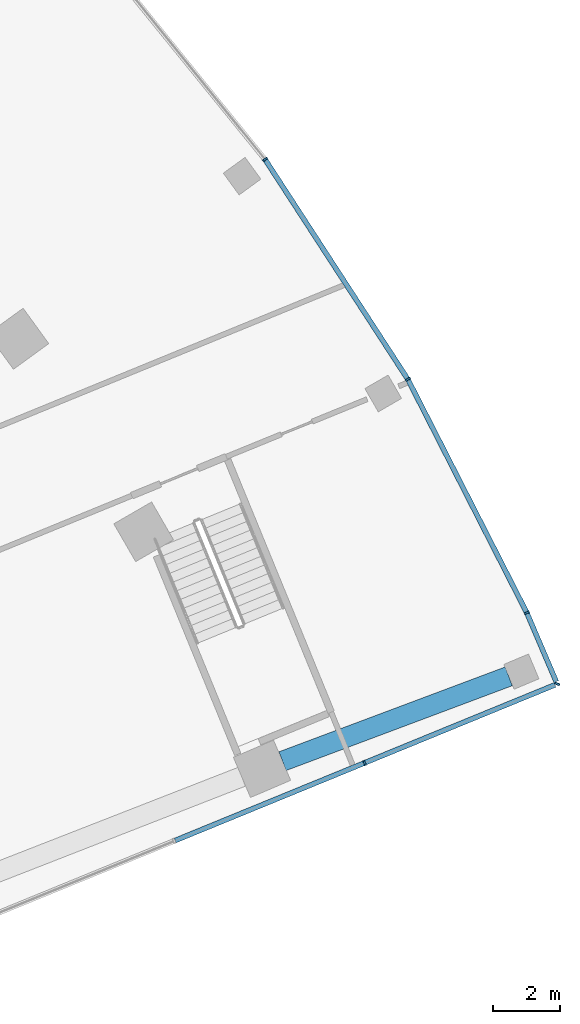
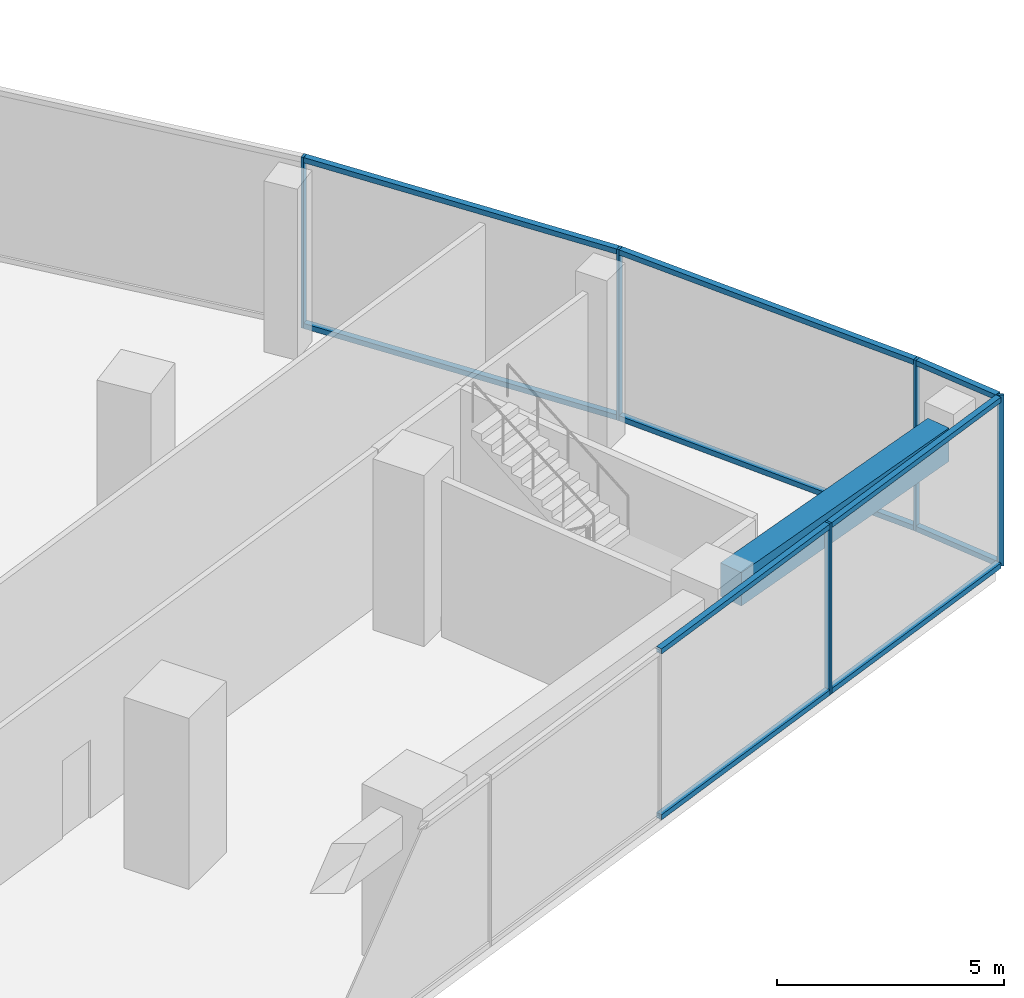
# One storey, part 15 of 39: 15 members, 1 beam, 2 elements without a shape of their own.
"""IFC4 building model written with IfcOpenShell, lengths in metres."""

from ifc_helpers import new_model, si_unit, direction, frame, origin, origin_2d, place, context, subcontext, project, spatial, rectangle, extrude, material, layer, layer_set, material_profile, profile_set, type_object, element, aggregate, save


model = new_model("IFC4")

# Units and contexts
model_context = context("Model", 3, precision=1e-05, world=origin(), true_north=direction((0.0, 1.0)))
body_context = subcontext(model_context, "Body", "Model", "MODEL_VIEW")
ifc_project = project(units=[si_unit("LENGTHUNIT", "METRE"), si_unit("AREAUNIT", "SQUARE_METRE"), si_unit("VOLUMEUNIT", "CUBIC_METRE"), si_unit("PLANEANGLEUNIT", "RADIAN"), si_unit("MASSUNIT", "GRAM", prefix="KILO")], contexts=[model_context])

# Site, building, storey
site_placement = place(None, origin())
site = spatial("IfcSite", under=ifc_project, at=site_placement, CompositionType="ELEMENT")
building_placement = place(site_placement, origin())
building = spatial("IfcBuilding", under=site, at=building_placement, Name="Stone Belt Terrace Tower", CompositionType="ELEMENT")
storey_placement = place(building_placement, frame((0.0, 0.0, 16.199951171875)))
storey = spatial("IfcBuildingStorey", under=building, at=storey_placement, Name="L03", CompositionType="ELEMENT", Elevation=16.199951171875)

# Curtain wall, member
ifc_material_1 = material(Name="Aluminium 6063-T6 anodised frame", Category="aluminium")
ifc_layer = layer(ifc_material_1, 0.14990234375)
ifc_layer_set = layer_set([ifc_layer], Name="CW-D podium shopfront")
curtain_wall_type = type_object("IfcCurtainWallType", Name="CW-D podium shopfront", PredefinedType="NOTDEFINED", material=ifc_layer_set)
curtain_wall_1_placement = place(storey_placement, origin())
curtain_wall_1 = element("IfcCurtainWall", 1, at=curtain_wall_1_placement, inside=storey, type_object=curtain_wall_type, Name="CW-D end face L03", PredefinedType="NOTDEFINED")
ifc_material_profile_1 = material_profile(ifc_material_1, rectangle(XDim=0.14990234375, YDim=0.06005859375, at=origin_2d()), Name="Aluminium 6063-T6 60x150")
ifc_profile_set_1 = profile_set([ifc_material_profile_1], Name="Aluminium 6063-T6 anodised frame")
member_type_1 = type_object("IfcMemberType", Name="CW-D mullion 60 x 150", PredefinedType="MULLION", material=ifc_profile_set_1)
member_1_placement = place(storey_placement, frame((63.295654296875, 25.861328125, 0.0), z_axis=(0.0, 0.0, 1.0), x_axis=(-0.379243093825, 0.925297074342, 0.0)))
member_1 = element("IfcMember", 2, at=member_1_placement, type_object=member_type_1, Name="CW-D mullion 8", PredefinedType="MULLION", context=body_context, shape_type="SweptSolid", body=[
    extrude(rectangle(XDim=0.14990234375, YDim=0.06005859375, at=origin_2d()), origin(), (0.0, 0.0, 1.0), 4.60009765625),
])

# Curtain wall, members
curtain_wall_2_placement = place(storey_placement, origin())
curtain_wall_2 = element("IfcCurtainWall", 3, at=curtain_wall_2_placement, inside=storey, type_object=curtain_wall_type, Name="CW-D convex face L03", PredefinedType="NOTDEFINED")
member_2_placement = place(storey_placement, frame((69.033447265625, 28.213134765625, 0.0), z_axis=(0.0, 0.0, 1.0), x_axis=(-0.925309719849, 0.379212239192, 0.0)))
member_2 = element("IfcMember", 4, at=member_2_placement, type_object=member_type_1, Name="CW-D mullion 1", PredefinedType="MULLION", context=body_context, shape_type="SweptSolid", body=[
    extrude(rectangle(XDim=0.14990234375, YDim=0.06005859375, at=origin_2d()), origin(), (0.0, 0.0, 1.0), 4.60009765625),
])
member_3_placement = place(storey_placement, frame((68.127197265625, 30.333740234375, 0.0), z_axis=(0.0, 0.0, 1.0), x_axis=(-0.905778201442, -0.423752108895, 0.0)))
member_3 = element("IfcMember", 5, at=member_3_placement, type_object=member_type_1, Name="CW-D mullion 2", PredefinedType="MULLION", context=body_context, shape_type="SweptSolid", body=[
    extrude(rectangle(XDim=0.14990234375, YDim=0.06005859375, at=origin_2d()), origin(), (0.0, 0.0, 1.0), 4.60009765625),
])
member_4_placement = place(storey_placement, frame((64.583984375, 37.28759765625, 0.0), z_axis=(0.0, 0.0, 1.0), x_axis=(-0.866025403784, -0.5, 0.0)))
member_4 = element("IfcMember", 6, at=member_4_placement, type_object=member_type_1, Name="CW-D mullion 3", PredefinedType="MULLION", context=body_context, shape_type="SweptSolid", body=[
    extrude(rectangle(XDim=0.14990234375, YDim=0.06005859375, at=origin_2d()), origin(), (0.0, 0.0, 1.0), 4.60009765625),
])
member_5_placement = place(storey_placement, frame((60.33251953125, 43.834228515625, 0.0), z_axis=(0.0, 0.0, 1.0), x_axis=(-0.809016994375, -0.587785252292, 0.0)))
member_5 = element("IfcMember", 7, at=member_5_placement, type_object=member_type_1, Name="CW-D mullion 4", PredefinedType="MULLION", context=body_context, shape_type="SweptSolid", body=[
    extrude(rectangle(XDim=0.14990234375, YDim=0.06005859375, at=origin_2d()), origin(), (0.0, 0.0, 1.0), 4.60009765625),
])

# Member
ifc_material_profile_2 = material_profile(ifc_material_1, rectangle(XDim=0.14990234375, YDim=0.139892578125, at=origin_2d()), Name="Aluminium 6063-T6 150x140")
ifc_profile_set_2 = profile_set([ifc_material_profile_2], Name="Aluminium 6063-T6 anodised frame")
member_type_2 = type_object("IfcMemberType", Name="CW-D transom 140 x 150", PredefinedType="USERDEFINED", material=ifc_profile_set_2)
member_6_placement = place(storey_placement, frame((57.656005859375, 23.5498046875, 0.070068359375), z_axis=(0.925297960053, 0.379240932814, 0.0), x_axis=(-0.379240932814, 0.925297960053, 0.0)))
member_6 = element("IfcMember", 8, at=member_6_placement, type_object=member_type_2, Name="CW-D transom 7.1", ObjectType="TRANSOM", PredefinedType="USERDEFINED", context=body_context, shape_type="SweptSolid", body=[
    extrude(rectangle(XDim=0.14990234375, YDim=0.139892578125, at=origin_2d()), origin(), (0.0, 0.0, 1.0), 6.06494140625),
])

member_7_placement = place(storey_placement, frame((57.656005859375, 23.5498046875, 4.530029296875), z_axis=(0.925297960053, 0.379240932814, 0.0), x_axis=(-0.379240932814, 0.925297960053, 0.0)))
member_7 = element("IfcMember", 9, at=member_7_placement, type_object=member_type_2, Name="CW-D transom 7.2", ObjectType="TRANSOM", PredefinedType="USERDEFINED", context=body_context, shape_type="SweptSolid", body=[
    extrude(rectangle(XDim=0.14990234375, YDim=0.139892578125, at=origin_2d()), origin(), (0.0, 0.0, 1.0), 6.06494140625),
])

member_8_placement = place(storey_placement, frame((63.323486328125, 25.872802734375, 0.070068359375), z_axis=(0.925300531379, 0.379234659056, 0.0), x_axis=(-0.379234659056, 0.925300531379, 0.0)))
member_8 = element("IfcMember", 10, at=member_8_placement, type_object=member_type_2, Name="CW-D transom 8.1", ObjectType="TRANSOM", PredefinedType="USERDEFINED", context=body_context, shape_type="SweptSolid", body=[
    extrude(rectangle(XDim=0.14990234375, YDim=0.139892578125, at=origin_2d()), origin(), (0.0, 0.0, 1.0), 6.096435546875),
])

member_9_placement = place(storey_placement, frame((63.323486328125, 25.872802734375, 4.530029296875), z_axis=(0.925300531379, 0.379234659056, 0.0), x_axis=(-0.379234659056, 0.925300531379, 0.0)))
member_9 = element("IfcMember", 11, at=member_9_placement, type_object=member_type_2, Name="CW-D transom 8.2", ObjectType="TRANSOM", PredefinedType="USERDEFINED", context=body_context, shape_type="SweptSolid", body=[
    extrude(rectangle(XDim=0.14990234375, YDim=0.139892578125, at=origin_2d()), origin(), (0.0, 0.0, 1.0), 6.096435546875),
])

aggregate(curtain_wall_1, [member_1, member_6, member_7, member_8, member_9])

member_10_placement = place(storey_placement, frame((69.004150390625, 28.281494140625, 0.070068359375), z_axis=(-0.39299460879, 0.919540775312, 0.0), x_axis=(-0.919540775312, -0.39299460879, 0.0)))
member_10 = element("IfcMember", 12, at=member_10_placement, type_object=member_type_2, Name="CW-D transom 1.1", ObjectType="TRANSOM", PredefinedType="USERDEFINED", context=body_context, shape_type="SweptSolid", body=[
    extrude(rectangle(XDim=0.14990234375, YDim=0.139892578125, at=origin_2d()), origin(), (0.0, 0.0, 1.0), 2.19921875),
])

member_11_placement = place(storey_placement, frame((69.004150390625, 28.281494140625, 4.530029296875), z_axis=(-0.39299460879, 0.919540775312, 0.0), x_axis=(-0.919540775312, -0.39299460879, 0.0)))
member_11 = element("IfcMember", 13, at=member_11_placement, type_object=member_type_2, Name="CW-D transom 1.2", ObjectType="TRANSOM", PredefinedType="USERDEFINED", context=body_context, shape_type="SweptSolid", body=[
    extrude(rectangle(XDim=0.14990234375, YDim=0.139892578125, at=origin_2d()), origin(), (0.0, 0.0, 1.0), 2.19921875),
])

member_12_placement = place(storey_placement, frame((68.1123046875, 30.362548828125, 0.070068359375), z_axis=(-0.453977770034, 0.891013010183, 0.0), x_axis=(-0.891013010183, -0.453977770034, 0.0)))
member_12 = element("IfcMember", 14, at=member_12_placement, type_object=member_type_2, Name="CW-D transom 2.1", ObjectType="TRANSOM", PredefinedType="USERDEFINED", context=body_context, shape_type="SweptSolid", body=[
    extrude(rectangle(XDim=0.14990234375, YDim=0.139892578125, at=origin_2d()), origin(), (0.0, 0.0, 1.0), 7.738037109375),
])

member_13_placement = place(storey_placement, frame((68.1123046875, 30.362548828125, 4.530029296875), z_axis=(-0.453977770034, 0.891013010183, 0.0), x_axis=(-0.891013010183, -0.453977770034, 0.0)))
member_13 = element("IfcMember", 15, at=member_13_placement, type_object=member_type_2, Name="CW-D transom 2.2", ObjectType="TRANSOM", PredefinedType="USERDEFINED", context=body_context, shape_type="SweptSolid", body=[
    extrude(rectangle(XDim=0.14990234375, YDim=0.139892578125, at=origin_2d()), origin(), (0.0, 0.0, 1.0), 7.738037109375),
])

member_14_placement = place(storey_placement, frame((64.5654296875, 37.31591796875, 0.070068359375), z_axis=(-0.54462677088, 0.83867853224, 0.0), x_axis=(-0.83867853224, -0.54462677088, 0.0)))
member_14 = element("IfcMember", 16, at=member_14_placement, type_object=member_type_2, Name="CW-D transom 3.1", ObjectType="TRANSOM", PredefinedType="USERDEFINED", context=body_context, shape_type="SweptSolid", body=[
    extrude(rectangle(XDim=0.14990234375, YDim=0.139892578125, at=origin_2d()), origin(), (0.0, 0.0, 1.0), 7.738037109375),
])

member_15_placement = place(storey_placement, frame((64.5654296875, 37.31591796875, 4.530029296875), z_axis=(-0.54462677088, 0.83867853224, 0.0), x_axis=(-0.83867853224, -0.54462677088, 0.0)))
member_15 = element("IfcMember", 17, at=member_15_placement, type_object=member_type_2, Name="CW-D transom 3.2", ObjectType="TRANSOM", PredefinedType="USERDEFINED", context=body_context, shape_type="SweptSolid", body=[
    extrude(rectangle(XDim=0.14990234375, YDim=0.139892578125, at=origin_2d()), origin(), (0.0, 0.0, 1.0), 7.738037109375),
])

aggregate(curtain_wall_2, [member_2, member_3, member_4, member_5, member_10, member_11, member_12, member_13, member_14, member_15])

# Beam
ifc_material_2 = material(Name="Concrete B60", Category="concrete")
ifc_material_profile_3 = material_profile(ifc_material_2, rectangle(XDim=0.60009765625, YDim=0.89990234375, at=origin_2d()), Name="RC 600x900")
ifc_profile_set_3 = profile_set([ifc_material_profile_3], Name="Concrete B60")
beam_type = type_object("IfcBeamType", Name="Edge beam RC 600x900 B60", PredefinedType="SPANDREL", material=ifc_profile_set_3)
beam_placement = place(storey_placement, frame((60.85107421875, 25.913330078125, 3.75), z_axis=(0.936357063025, 0.351049071389, 0.0), x_axis=(-0.351049071389, 0.936357063025, 0.0)))
element("IfcBeam", 18, at=beam_placement, inside=storey, type_object=beam_type, Name="Edge beam L03 B R to S", PredefinedType="SPANDREL", context=body_context, shape_type="SweptSolid", body=[
    extrude(rectangle(XDim=0.60009765625, YDim=0.89990234375, at=origin_2d()), origin(), (0.0, 0.0, 1.0), 7.1953125),
])

save(model, "model.ifc")
